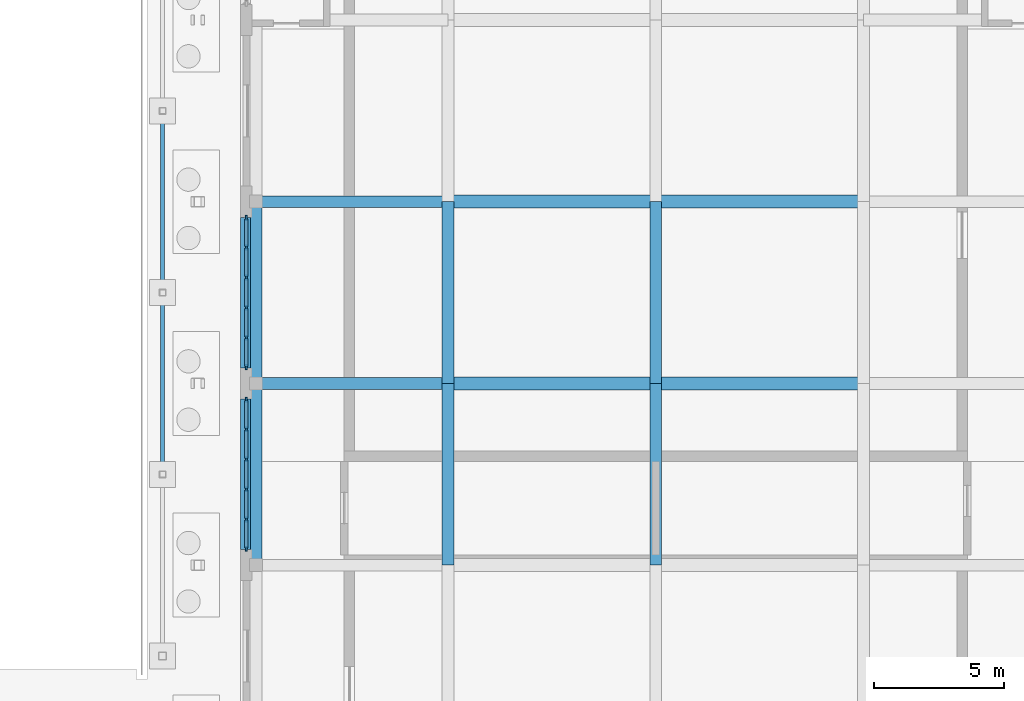
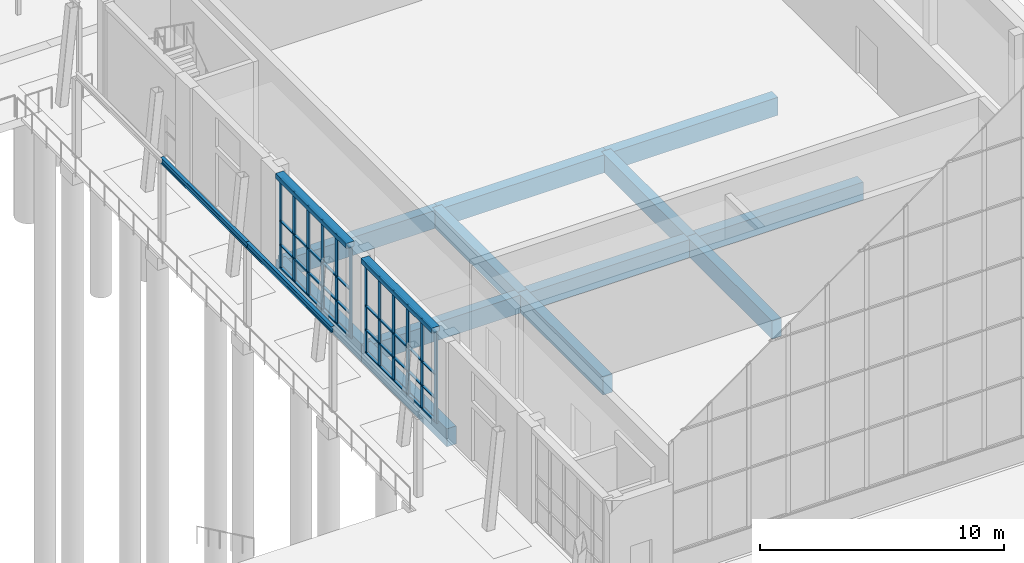
# One storey, part 37 of 144: 52 members, 16 beams, 2 elements without a shape of their own.
"""IFC4 building model written with IfcOpenShell, lengths in metres."""

from ifc_helpers import new_model, si_unit, direction, frame, origin, origin_2d, place, context, subcontext, project, spatial, rectangle, i_section, extrude, material, layer, layer_set, material_profile, profile_set, type_object, element, aggregate, save


model = new_model("IFC4")

# Units and contexts
model_context = context("Model", 3, precision=1e-05, world=origin(), true_north=direction((0.0, 1.0)))
body_context = subcontext(model_context, "Body", "Model", "MODEL_VIEW")
ifc_project = project(units=[si_unit("LENGTHUNIT", "METRE"), si_unit("AREAUNIT", "SQUARE_METRE"), si_unit("VOLUMEUNIT", "CUBIC_METRE"), si_unit("PLANEANGLEUNIT", "RADIAN"), si_unit("MASSUNIT", "GRAM", prefix="KILO")], contexts=[model_context])

# Site, building, storey
site_placement = place(None, origin())
site = spatial("IfcSite", under=ifc_project, at=site_placement, CompositionType="ELEMENT")
building_placement = place(site_placement, origin())
building = spatial("IfcBuilding", under=site, at=building_placement, Name="Lantern Court Media Centre", CompositionType="ELEMENT")
storey_placement = place(building_placement, origin())
storey = spatial("IfcBuildingStorey", under=building, at=storey_placement, Name="L00", CompositionType="ELEMENT", Elevation=0.0)

# Beams
ifc_material_1 = material(Name="Steel S355J2 (EN 10025-2)", Category="steel")
ifc_material_profile_1 = material_profile(ifc_material_1, i_section(OverallWidth=0.14990234375, OverallDepth=0.300048828125, WebThickness=0.007080078125, FlangeThickness=0.0107421875, FilletRadius=0.014892578125, at=origin_2d()), Name="IPE 300")
ifc_profile_set_1 = profile_set([ifc_material_profile_1], Name="Steel S355J2 (EN 10025-2)")
beam_type_1 = type_object("IfcBeamType", Name="Forecourt colonnade beam IPE 300", PredefinedType="BEAM", material=ifc_profile_set_1)
for number, where, z_axis, x_axis, name in (
    (1, (69.0, 15.5, 4.050048828125), (0.0, 1.0, 0.0), (-1.0, 0.0, 0.0), "Forecourt colonnade beam V2 2"),
    (2, (69.0, 22.5, 4.050048828125), (0.0, 1.0, 0.0), (-1.0, 0.0, 0.0), "Forecourt colonnade beam V2 3"),
):
    element("IfcBeam", number, at=place(storey_placement, frame(where, z_axis=z_axis, x_axis=x_axis)), inside=storey, type_object=beam_type_1, Name=name, PredefinedType="BEAM", context=body_context, shape_type="SweptSolid", body=[
        extrude(i_section(OverallWidth=0.14990234375, OverallDepth=0.300048828125, WebThickness=0.007080078125, FlangeThickness=0.0107421875, FilletRadius=0.014892578125, at=origin_2d()), origin(), (0.0, 0.0, 1.0), 7.0),
    ])

# Curtain wall, members
ifc_material_2 = material(Name="Aluminium and glass", Category="aluminium")
ifc_layer = layer(ifc_material_2, 0.14990234375)
ifc_layer_set = layer_set([ifc_layer], Name="Aluminium and glass")
curtain_wall_type = type_object("IfcCurtainWallType", Name="Hall lancet glazing", PredefinedType="NOTDEFINED", material=ifc_layer_set)
curtain_wall_1_placement = place(storey_placement, origin())
curtain_wall_1 = element("IfcCurtainWall", 3, at=curtain_wall_1_placement, inside=storey, type_object=curtain_wall_type, Name="Studio Hall foyer glazing 3", PredefinedType="NOTDEFINED")
ifc_material_3 = material(Name="Aluminium, anodised", Category="aluminium")
ifc_material_profile_2 = material_profile(ifc_material_3, rectangle(XDim=0.06005859375, YDim=0.199951171875, at=origin_2d()), Name="HM")
ifc_profile_set_2 = profile_set([ifc_material_profile_2], Name="Aluminium, anodised")
member_type_1 = type_object("IfcMemberType", Name="HM", PredefinedType="MULLION", material=ifc_profile_set_2)
member_1_placement = place(storey_placement, frame((72.22509765625, 12.6298828125, 0.0), z_axis=(0.0, 0.0, 1.0), x_axis=(-1.0, 0.0, 0.0)))
member_1 = element("IfcMember", 4, at=member_1_placement, type_object=member_type_1, Name="HCW-V23 mullion 1", PredefinedType="MULLION", context=body_context, shape_type="SweptSolid", body=[
    extrude(rectangle(XDim=0.06005859375, YDim=0.199951171875, at=origin_2d()), origin(), (0.0, 0.0, 1.0), 4.550048828125),
])
member_2_placement = place(storey_placement, frame((72.22509765625, 13.760009765625, 0.0), z_axis=(0.0, 0.0, 1.0), x_axis=(-1.0, 0.0, 0.0)))
member_2 = element("IfcMember", 5, at=member_2_placement, type_object=member_type_1, Name="HCW-V23 mullion 2", PredefinedType="MULLION", context=body_context, shape_type="SweptSolid", body=[
    extrude(rectangle(XDim=0.06005859375, YDim=0.199951171875, at=origin_2d()), origin(), (0.0, 0.0, 1.0), 4.550048828125),
])
member_3_placement = place(storey_placement, frame((72.22509765625, 14.919921875, 0.0), z_axis=(0.0, 0.0, 1.0), x_axis=(-1.0, 0.0, 0.0)))
member_3 = element("IfcMember", 6, at=member_3_placement, type_object=member_type_1, Name="HCW-V23 mullion 3", PredefinedType="MULLION", context=body_context, shape_type="SweptSolid", body=[
    extrude(rectangle(XDim=0.06005859375, YDim=0.199951171875, at=origin_2d()), origin(), (0.0, 0.0, 1.0), 4.550048828125),
])
member_4_placement = place(storey_placement, frame((72.22509765625, 16.080078125, 0.0), z_axis=(0.0, 0.0, 1.0), x_axis=(-1.0, 0.0, 0.0)))
member_4 = element("IfcMember", 7, at=member_4_placement, type_object=member_type_1, Name="HCW-V23 mullion 4", PredefinedType="MULLION", context=body_context, shape_type="SweptSolid", body=[
    extrude(rectangle(XDim=0.06005859375, YDim=0.199951171875, at=origin_2d()), origin(), (0.0, 0.0, 1.0), 4.550048828125),
])
member_5_placement = place(storey_placement, frame((72.22509765625, 17.239990234375, 0.0), z_axis=(0.0, 0.0, 1.0), x_axis=(-1.0, 0.0, 0.0)))
member_5 = element("IfcMember", 8, at=member_5_placement, type_object=member_type_1, Name="HCW-V23 mullion 5", PredefinedType="MULLION", context=body_context, shape_type="SweptSolid", body=[
    extrude(rectangle(XDim=0.06005859375, YDim=0.199951171875, at=origin_2d()), origin(), (0.0, 0.0, 1.0), 4.550048828125),
])
member_6_placement = place(storey_placement, frame((72.22509765625, 18.3701171875, 0.0), z_axis=(0.0, 0.0, 1.0), x_axis=(-1.0, 0.0, 0.0)))
member_6 = element("IfcMember", 9, at=member_6_placement, type_object=member_type_1, Name="HCW-V23 mullion 6", PredefinedType="MULLION", context=body_context, shape_type="SweptSolid", body=[
    extrude(rectangle(XDim=0.06005859375, YDim=0.199951171875, at=origin_2d()), origin(), (0.0, 0.0, 1.0), 4.550048828125),
])

curtain_wall_2_placement = place(storey_placement, origin())
curtain_wall_2 = element("IfcCurtainWall", 10, at=curtain_wall_2_placement, inside=storey, type_object=curtain_wall_type, Name="Studio Hall foyer glazing 4", PredefinedType="NOTDEFINED")
member_7_placement = place(storey_placement, frame((72.22509765625, 19.6298828125, 0.0), z_axis=(0.0, 0.0, 1.0), x_axis=(-1.0, 0.0, 0.0)))
member_7 = element("IfcMember", 11, at=member_7_placement, type_object=member_type_1, Name="HCW-V24 mullion 1", PredefinedType="MULLION", context=body_context, shape_type="SweptSolid", body=[
    extrude(rectangle(XDim=0.06005859375, YDim=0.199951171875, at=origin_2d()), origin(), (0.0, 0.0, 1.0), 4.550048828125),
])
member_8_placement = place(storey_placement, frame((72.22509765625, 20.760009765625, 0.0), z_axis=(0.0, 0.0, 1.0), x_axis=(-1.0, 0.0, 0.0)))
member_8 = element("IfcMember", 12, at=member_8_placement, type_object=member_type_1, Name="HCW-V24 mullion 2", PredefinedType="MULLION", context=body_context, shape_type="SweptSolid", body=[
    extrude(rectangle(XDim=0.06005859375, YDim=0.199951171875, at=origin_2d()), origin(), (0.0, 0.0, 1.0), 4.550048828125),
])
member_9_placement = place(storey_placement, frame((72.22509765625, 21.919921875, 0.0), z_axis=(0.0, 0.0, 1.0), x_axis=(-1.0, 0.0, 0.0)))
member_9 = element("IfcMember", 13, at=member_9_placement, type_object=member_type_1, Name="HCW-V24 mullion 3", PredefinedType="MULLION", context=body_context, shape_type="SweptSolid", body=[
    extrude(rectangle(XDim=0.06005859375, YDim=0.199951171875, at=origin_2d()), origin(), (0.0, 0.0, 1.0), 4.550048828125),
])
member_10_placement = place(storey_placement, frame((72.22509765625, 23.080078125, 0.0), z_axis=(0.0, 0.0, 1.0), x_axis=(-1.0, 0.0, 0.0)))
member_10 = element("IfcMember", 14, at=member_10_placement, type_object=member_type_1, Name="HCW-V24 mullion 4", PredefinedType="MULLION", context=body_context, shape_type="SweptSolid", body=[
    extrude(rectangle(XDim=0.06005859375, YDim=0.199951171875, at=origin_2d()), origin(), (0.0, 0.0, 1.0), 4.550048828125),
])
member_11_placement = place(storey_placement, frame((72.22509765625, 24.239990234375, 0.0), z_axis=(0.0, 0.0, 1.0), x_axis=(-1.0, 0.0, 0.0)))
member_11 = element("IfcMember", 15, at=member_11_placement, type_object=member_type_1, Name="HCW-V24 mullion 5", PredefinedType="MULLION", context=body_context, shape_type="SweptSolid", body=[
    extrude(rectangle(XDim=0.06005859375, YDim=0.199951171875, at=origin_2d()), origin(), (0.0, 0.0, 1.0), 4.550048828125),
])
member_12_placement = place(storey_placement, frame((72.22509765625, 25.3701171875, 0.0), z_axis=(0.0, 0.0, 1.0), x_axis=(-1.0, 0.0, 0.0)))
member_12 = element("IfcMember", 16, at=member_12_placement, type_object=member_type_1, Name="HCW-V24 mullion 6", PredefinedType="MULLION", context=body_context, shape_type="SweptSolid", body=[
    extrude(rectangle(XDim=0.06005859375, YDim=0.199951171875, at=origin_2d()), origin(), (0.0, 0.0, 1.0), 4.550048828125),
])

# Member
ifc_material_profile_3 = material_profile(ifc_material_3, rectangle(XDim=0.1201171875, YDim=0.06005859375, at=origin_2d()), Name="HT")
ifc_profile_set_3 = profile_set([ifc_material_profile_3], Name="Aluminium, anodised")
member_type_2 = type_object("IfcMemberType", Name="HT", PredefinedType="USERDEFINED", material=ifc_profile_set_3)
member_13_placement = place(storey_placement, frame((72.22509765625, 12.659912109375, 0.06005859375), z_axis=(0.0, 1.0, 0.0), x_axis=(-1.0, 0.0, 0.0)))
member_13 = element("IfcMember", 17, at=member_13_placement, type_object=member_type_2, Name="HCW-V23 transom 1.1", ObjectType="TRANSOM", PredefinedType="USERDEFINED", context=body_context, shape_type="SweptSolid", body=[
    extrude(rectangle(XDim=0.1201171875, YDim=0.06005859375, at=origin_2d()), origin(), (0.0, 0.0, 1.0), 1.070068359375),
])

member_14_placement = place(storey_placement, frame((72.22509765625, 12.659912109375, 1.199951171875), z_axis=(0.0, 1.0, 0.0), x_axis=(-1.0, 0.0, 0.0)))
member_14 = element("IfcMember", 18, at=member_14_placement, type_object=member_type_2, Name="HCW-V23 transom 1.2", ObjectType="TRANSOM", PredefinedType="USERDEFINED", context=body_context, shape_type="SweptSolid", body=[
    extrude(rectangle(XDim=0.1201171875, YDim=0.06005859375, at=origin_2d()), origin(), (0.0, 0.0, 1.0), 1.070068359375),
])

member_15_placement = place(storey_placement, frame((72.22509765625, 12.659912109375, 2.39990234375), z_axis=(0.0, 1.0, 0.0), x_axis=(-1.0, 0.0, 0.0)))
member_15 = element("IfcMember", 19, at=member_15_placement, type_object=member_type_2, Name="HCW-V23 transom 1.3", ObjectType="TRANSOM", PredefinedType="USERDEFINED", context=body_context, shape_type="SweptSolid", body=[
    extrude(rectangle(XDim=0.1201171875, YDim=0.06005859375, at=origin_2d()), origin(), (0.0, 0.0, 1.0), 1.070068359375),
])

member_16_placement = place(storey_placement, frame((72.22509765625, 12.659912109375, 4.489990234375), z_axis=(0.0, 1.0, 0.0), x_axis=(-1.0, 0.0, 0.0)))
member_16 = element("IfcMember", 20, at=member_16_placement, type_object=member_type_2, Name="HCW-V23 transom 1.4", ObjectType="TRANSOM", PredefinedType="USERDEFINED", context=body_context, shape_type="SweptSolid", body=[
    extrude(rectangle(XDim=0.1201171875, YDim=0.06005859375, at=origin_2d()), origin(), (0.0, 0.0, 1.0), 1.070068359375),
])

member_17_placement = place(storey_placement, frame((72.22509765625, 13.7900390625, 0.06005859375), z_axis=(0.0, 1.0, 0.0), x_axis=(-1.0, 0.0, 0.0)))
member_17 = element("IfcMember", 21, at=member_17_placement, type_object=member_type_2, Name="HCW-V23 transom 2.1", ObjectType="TRANSOM", PredefinedType="USERDEFINED", context=body_context, shape_type="SweptSolid", body=[
    extrude(rectangle(XDim=0.1201171875, YDim=0.06005859375, at=origin_2d()), origin(), (0.0, 0.0, 1.0), 1.099853515625),
])

member_18_placement = place(storey_placement, frame((72.22509765625, 13.7900390625, 1.199951171875), z_axis=(0.0, 1.0, 0.0), x_axis=(-1.0, 0.0, 0.0)))
member_18 = element("IfcMember", 22, at=member_18_placement, type_object=member_type_2, Name="HCW-V23 transom 2.2", ObjectType="TRANSOM", PredefinedType="USERDEFINED", context=body_context, shape_type="SweptSolid", body=[
    extrude(rectangle(XDim=0.1201171875, YDim=0.06005859375, at=origin_2d()), origin(), (0.0, 0.0, 1.0), 1.099853515625),
])

member_19_placement = place(storey_placement, frame((72.22509765625, 13.7900390625, 2.39990234375), z_axis=(0.0, 1.0, 0.0), x_axis=(-1.0, 0.0, 0.0)))
member_19 = element("IfcMember", 23, at=member_19_placement, type_object=member_type_2, Name="HCW-V23 transom 2.3", ObjectType="TRANSOM", PredefinedType="USERDEFINED", context=body_context, shape_type="SweptSolid", body=[
    extrude(rectangle(XDim=0.1201171875, YDim=0.06005859375, at=origin_2d()), origin(), (0.0, 0.0, 1.0), 1.099853515625),
])

member_20_placement = place(storey_placement, frame((72.22509765625, 13.7900390625, 4.489990234375), z_axis=(0.0, 1.0, 0.0), x_axis=(-1.0, 0.0, 0.0)))
member_20 = element("IfcMember", 24, at=member_20_placement, type_object=member_type_2, Name="HCW-V23 transom 2.4", ObjectType="TRANSOM", PredefinedType="USERDEFINED", context=body_context, shape_type="SweptSolid", body=[
    extrude(rectangle(XDim=0.1201171875, YDim=0.06005859375, at=origin_2d()), origin(), (0.0, 0.0, 1.0), 1.099853515625),
])

member_21_placement = place(storey_placement, frame((72.22509765625, 14.949951171875, 0.06005859375), z_axis=(0.0, 1.0, 0.0), x_axis=(-1.0, 0.0, 0.0)))
member_21 = element("IfcMember", 25, at=member_21_placement, type_object=member_type_2, Name="HCW-V23 transom 3.1", ObjectType="TRANSOM", PredefinedType="USERDEFINED", context=body_context, shape_type="SweptSolid", body=[
    extrude(rectangle(XDim=0.1201171875, YDim=0.06005859375, at=origin_2d()), origin(), (0.0, 0.0, 1.0), 1.10009765625),
])

member_22_placement = place(storey_placement, frame((72.22509765625, 14.949951171875, 1.199951171875), z_axis=(0.0, 1.0, 0.0), x_axis=(-1.0, 0.0, 0.0)))
member_22 = element("IfcMember", 26, at=member_22_placement, type_object=member_type_2, Name="HCW-V23 transom 3.2", ObjectType="TRANSOM", PredefinedType="USERDEFINED", context=body_context, shape_type="SweptSolid", body=[
    extrude(rectangle(XDim=0.1201171875, YDim=0.06005859375, at=origin_2d()), origin(), (0.0, 0.0, 1.0), 1.10009765625),
])

member_23_placement = place(storey_placement, frame((72.22509765625, 14.949951171875, 2.39990234375), z_axis=(0.0, 1.0, 0.0), x_axis=(-1.0, 0.0, 0.0)))
member_23 = element("IfcMember", 27, at=member_23_placement, type_object=member_type_2, Name="HCW-V23 transom 3.3", ObjectType="TRANSOM", PredefinedType="USERDEFINED", context=body_context, shape_type="SweptSolid", body=[
    extrude(rectangle(XDim=0.1201171875, YDim=0.06005859375, at=origin_2d()), origin(), (0.0, 0.0, 1.0), 1.10009765625),
])

member_24_placement = place(storey_placement, frame((72.22509765625, 14.949951171875, 4.489990234375), z_axis=(0.0, 1.0, 0.0), x_axis=(-1.0, 0.0, 0.0)))
member_24 = element("IfcMember", 28, at=member_24_placement, type_object=member_type_2, Name="HCW-V23 transom 3.4", ObjectType="TRANSOM", PredefinedType="USERDEFINED", context=body_context, shape_type="SweptSolid", body=[
    extrude(rectangle(XDim=0.1201171875, YDim=0.06005859375, at=origin_2d()), origin(), (0.0, 0.0, 1.0), 1.10009765625),
])

member_25_placement = place(storey_placement, frame((72.22509765625, 16.110107421875, 0.06005859375), z_axis=(0.0, 1.0, 0.0), x_axis=(-1.0, 0.0, 0.0)))
member_25 = element("IfcMember", 29, at=member_25_placement, type_object=member_type_2, Name="HCW-V23 transom 4.1", ObjectType="TRANSOM", PredefinedType="USERDEFINED", context=body_context, shape_type="SweptSolid", body=[
    extrude(rectangle(XDim=0.1201171875, YDim=0.06005859375, at=origin_2d()), origin(), (0.0, 0.0, 1.0), 1.099853515625),
])

member_26_placement = place(storey_placement, frame((72.22509765625, 16.110107421875, 1.199951171875), z_axis=(0.0, 1.0, 0.0), x_axis=(-1.0, 0.0, 0.0)))
member_26 = element("IfcMember", 30, at=member_26_placement, type_object=member_type_2, Name="HCW-V23 transom 4.2", ObjectType="TRANSOM", PredefinedType="USERDEFINED", context=body_context, shape_type="SweptSolid", body=[
    extrude(rectangle(XDim=0.1201171875, YDim=0.06005859375, at=origin_2d()), origin(), (0.0, 0.0, 1.0), 1.099853515625),
])

member_27_placement = place(storey_placement, frame((72.22509765625, 16.110107421875, 2.39990234375), z_axis=(0.0, 1.0, 0.0), x_axis=(-1.0, 0.0, 0.0)))
member_27 = element("IfcMember", 31, at=member_27_placement, type_object=member_type_2, Name="HCW-V23 transom 4.3", ObjectType="TRANSOM", PredefinedType="USERDEFINED", context=body_context, shape_type="SweptSolid", body=[
    extrude(rectangle(XDim=0.1201171875, YDim=0.06005859375, at=origin_2d()), origin(), (0.0, 0.0, 1.0), 1.099853515625),
])

member_28_placement = place(storey_placement, frame((72.22509765625, 16.110107421875, 4.489990234375), z_axis=(0.0, 1.0, 0.0), x_axis=(-1.0, 0.0, 0.0)))
member_28 = element("IfcMember", 32, at=member_28_placement, type_object=member_type_2, Name="HCW-V23 transom 4.4", ObjectType="TRANSOM", PredefinedType="USERDEFINED", context=body_context, shape_type="SweptSolid", body=[
    extrude(rectangle(XDim=0.1201171875, YDim=0.06005859375, at=origin_2d()), origin(), (0.0, 0.0, 1.0), 1.099853515625),
])

member_29_placement = place(storey_placement, frame((72.22509765625, 17.27001953125, 0.06005859375), z_axis=(0.0, 1.0, 0.0), x_axis=(-1.0, 0.0, 0.0)))
member_29 = element("IfcMember", 33, at=member_29_placement, type_object=member_type_2, Name="HCW-V23 transom 5.1", ObjectType="TRANSOM", PredefinedType="USERDEFINED", context=body_context, shape_type="SweptSolid", body=[
    extrude(rectangle(XDim=0.1201171875, YDim=0.06005859375, at=origin_2d()), origin(), (0.0, 0.0, 1.0), 1.070068359375),
])

member_30_placement = place(storey_placement, frame((72.22509765625, 17.27001953125, 1.199951171875), z_axis=(0.0, 1.0, 0.0), x_axis=(-1.0, 0.0, 0.0)))
member_30 = element("IfcMember", 34, at=member_30_placement, type_object=member_type_2, Name="HCW-V23 transom 5.2", ObjectType="TRANSOM", PredefinedType="USERDEFINED", context=body_context, shape_type="SweptSolid", body=[
    extrude(rectangle(XDim=0.1201171875, YDim=0.06005859375, at=origin_2d()), origin(), (0.0, 0.0, 1.0), 1.070068359375),
])

member_31_placement = place(storey_placement, frame((72.22509765625, 17.27001953125, 2.39990234375), z_axis=(0.0, 1.0, 0.0), x_axis=(-1.0, 0.0, 0.0)))
member_31 = element("IfcMember", 35, at=member_31_placement, type_object=member_type_2, Name="HCW-V23 transom 5.3", ObjectType="TRANSOM", PredefinedType="USERDEFINED", context=body_context, shape_type="SweptSolid", body=[
    extrude(rectangle(XDim=0.1201171875, YDim=0.06005859375, at=origin_2d()), origin(), (0.0, 0.0, 1.0), 1.070068359375),
])

member_32_placement = place(storey_placement, frame((72.22509765625, 17.27001953125, 4.489990234375), z_axis=(0.0, 1.0, 0.0), x_axis=(-1.0, 0.0, 0.0)))
member_32 = element("IfcMember", 36, at=member_32_placement, type_object=member_type_2, Name="HCW-V23 transom 5.4", ObjectType="TRANSOM", PredefinedType="USERDEFINED", context=body_context, shape_type="SweptSolid", body=[
    extrude(rectangle(XDim=0.1201171875, YDim=0.06005859375, at=origin_2d()), origin(), (0.0, 0.0, 1.0), 1.070068359375),
])

aggregate(curtain_wall_1, [member_1, member_2, member_3, member_4, member_5, member_6, member_13, member_14, member_15, member_16, member_17, member_18, member_19, member_20, member_21, member_22, member_23, member_24, member_25, member_26, member_27, member_28, member_29, member_30, member_31, member_32])

member_33_placement = place(storey_placement, frame((72.22509765625, 19.659912109375, 0.06005859375), z_axis=(0.0, 1.0, 0.0), x_axis=(-1.0, 0.0, 0.0)))
member_33 = element("IfcMember", 37, at=member_33_placement, type_object=member_type_2, Name="HCW-V24 transom 1.1", ObjectType="TRANSOM", PredefinedType="USERDEFINED", context=body_context, shape_type="SweptSolid", body=[
    extrude(rectangle(XDim=0.1201171875, YDim=0.06005859375, at=origin_2d()), origin(), (0.0, 0.0, 1.0), 1.070068359375),
])

member_34_placement = place(storey_placement, frame((72.22509765625, 19.659912109375, 1.199951171875), z_axis=(0.0, 1.0, 0.0), x_axis=(-1.0, 0.0, 0.0)))
member_34 = element("IfcMember", 38, at=member_34_placement, type_object=member_type_2, Name="HCW-V24 transom 1.2", ObjectType="TRANSOM", PredefinedType="USERDEFINED", context=body_context, shape_type="SweptSolid", body=[
    extrude(rectangle(XDim=0.1201171875, YDim=0.06005859375, at=origin_2d()), origin(), (0.0, 0.0, 1.0), 1.070068359375),
])

member_35_placement = place(storey_placement, frame((72.22509765625, 19.659912109375, 2.39990234375), z_axis=(0.0, 1.0, 0.0), x_axis=(-1.0, 0.0, 0.0)))
member_35 = element("IfcMember", 39, at=member_35_placement, type_object=member_type_2, Name="HCW-V24 transom 1.3", ObjectType="TRANSOM", PredefinedType="USERDEFINED", context=body_context, shape_type="SweptSolid", body=[
    extrude(rectangle(XDim=0.1201171875, YDim=0.06005859375, at=origin_2d()), origin(), (0.0, 0.0, 1.0), 1.070068359375),
])

member_36_placement = place(storey_placement, frame((72.22509765625, 19.659912109375, 4.489990234375), z_axis=(0.0, 1.0, 0.0), x_axis=(-1.0, 0.0, 0.0)))
member_36 = element("IfcMember", 40, at=member_36_placement, type_object=member_type_2, Name="HCW-V24 transom 1.4", ObjectType="TRANSOM", PredefinedType="USERDEFINED", context=body_context, shape_type="SweptSolid", body=[
    extrude(rectangle(XDim=0.1201171875, YDim=0.06005859375, at=origin_2d()), origin(), (0.0, 0.0, 1.0), 1.070068359375),
])

member_37_placement = place(storey_placement, frame((72.22509765625, 20.7900390625, 0.06005859375), z_axis=(0.0, 1.0, 0.0), x_axis=(-1.0, 0.0, 0.0)))
member_37 = element("IfcMember", 41, at=member_37_placement, type_object=member_type_2, Name="HCW-V24 transom 2.1", ObjectType="TRANSOM", PredefinedType="USERDEFINED", context=body_context, shape_type="SweptSolid", body=[
    extrude(rectangle(XDim=0.1201171875, YDim=0.06005859375, at=origin_2d()), origin(), (0.0, 0.0, 1.0), 1.099853515625),
])

member_38_placement = place(storey_placement, frame((72.22509765625, 20.7900390625, 1.199951171875), z_axis=(0.0, 1.0, 0.0), x_axis=(-1.0, 0.0, 0.0)))
member_38 = element("IfcMember", 42, at=member_38_placement, type_object=member_type_2, Name="HCW-V24 transom 2.2", ObjectType="TRANSOM", PredefinedType="USERDEFINED", context=body_context, shape_type="SweptSolid", body=[
    extrude(rectangle(XDim=0.1201171875, YDim=0.06005859375, at=origin_2d()), origin(), (0.0, 0.0, 1.0), 1.099853515625),
])

member_39_placement = place(storey_placement, frame((72.22509765625, 20.7900390625, 2.39990234375), z_axis=(0.0, 1.0, 0.0), x_axis=(-1.0, 0.0, 0.0)))
member_39 = element("IfcMember", 43, at=member_39_placement, type_object=member_type_2, Name="HCW-V24 transom 2.3", ObjectType="TRANSOM", PredefinedType="USERDEFINED", context=body_context, shape_type="SweptSolid", body=[
    extrude(rectangle(XDim=0.1201171875, YDim=0.06005859375, at=origin_2d()), origin(), (0.0, 0.0, 1.0), 1.099853515625),
])

member_40_placement = place(storey_placement, frame((72.22509765625, 20.7900390625, 4.489990234375), z_axis=(0.0, 1.0, 0.0), x_axis=(-1.0, 0.0, 0.0)))
member_40 = element("IfcMember", 44, at=member_40_placement, type_object=member_type_2, Name="HCW-V24 transom 2.4", ObjectType="TRANSOM", PredefinedType="USERDEFINED", context=body_context, shape_type="SweptSolid", body=[
    extrude(rectangle(XDim=0.1201171875, YDim=0.06005859375, at=origin_2d()), origin(), (0.0, 0.0, 1.0), 1.099853515625),
])

member_41_placement = place(storey_placement, frame((72.22509765625, 21.949951171875, 0.06005859375), z_axis=(0.0, 1.0, 0.0), x_axis=(-1.0, 0.0, 0.0)))
member_41 = element("IfcMember", 45, at=member_41_placement, type_object=member_type_2, Name="HCW-V24 transom 3.1", ObjectType="TRANSOM", PredefinedType="USERDEFINED", context=body_context, shape_type="SweptSolid", body=[
    extrude(rectangle(XDim=0.1201171875, YDim=0.06005859375, at=origin_2d()), origin(), (0.0, 0.0, 1.0), 1.10009765625),
])

member_42_placement = place(storey_placement, frame((72.22509765625, 21.949951171875, 1.199951171875), z_axis=(0.0, 1.0, 0.0), x_axis=(-1.0, 0.0, 0.0)))
member_42 = element("IfcMember", 46, at=member_42_placement, type_object=member_type_2, Name="HCW-V24 transom 3.2", ObjectType="TRANSOM", PredefinedType="USERDEFINED", context=body_context, shape_type="SweptSolid", body=[
    extrude(rectangle(XDim=0.1201171875, YDim=0.06005859375, at=origin_2d()), origin(), (0.0, 0.0, 1.0), 1.10009765625),
])

member_43_placement = place(storey_placement, frame((72.22509765625, 21.949951171875, 2.39990234375), z_axis=(0.0, 1.0, 0.0), x_axis=(-1.0, 0.0, 0.0)))
member_43 = element("IfcMember", 47, at=member_43_placement, type_object=member_type_2, Name="HCW-V24 transom 3.3", ObjectType="TRANSOM", PredefinedType="USERDEFINED", context=body_context, shape_type="SweptSolid", body=[
    extrude(rectangle(XDim=0.1201171875, YDim=0.06005859375, at=origin_2d()), origin(), (0.0, 0.0, 1.0), 1.10009765625),
])

member_44_placement = place(storey_placement, frame((72.22509765625, 21.949951171875, 4.489990234375), z_axis=(0.0, 1.0, 0.0), x_axis=(-1.0, 0.0, 0.0)))
member_44 = element("IfcMember", 48, at=member_44_placement, type_object=member_type_2, Name="HCW-V24 transom 3.4", ObjectType="TRANSOM", PredefinedType="USERDEFINED", context=body_context, shape_type="SweptSolid", body=[
    extrude(rectangle(XDim=0.1201171875, YDim=0.06005859375, at=origin_2d()), origin(), (0.0, 0.0, 1.0), 1.10009765625),
])

member_45_placement = place(storey_placement, frame((72.22509765625, 23.110107421875, 0.06005859375), z_axis=(0.0, 1.0, 0.0), x_axis=(-1.0, 0.0, 0.0)))
member_45 = element("IfcMember", 49, at=member_45_placement, type_object=member_type_2, Name="HCW-V24 transom 4.1", ObjectType="TRANSOM", PredefinedType="USERDEFINED", context=body_context, shape_type="SweptSolid", body=[
    extrude(rectangle(XDim=0.1201171875, YDim=0.06005859375, at=origin_2d()), origin(), (0.0, 0.0, 1.0), 1.099853515625),
])

member_46_placement = place(storey_placement, frame((72.22509765625, 23.110107421875, 1.199951171875), z_axis=(0.0, 1.0, 0.0), x_axis=(-1.0, 0.0, 0.0)))
member_46 = element("IfcMember", 50, at=member_46_placement, type_object=member_type_2, Name="HCW-V24 transom 4.2", ObjectType="TRANSOM", PredefinedType="USERDEFINED", context=body_context, shape_type="SweptSolid", body=[
    extrude(rectangle(XDim=0.1201171875, YDim=0.06005859375, at=origin_2d()), origin(), (0.0, 0.0, 1.0), 1.099853515625),
])

member_47_placement = place(storey_placement, frame((72.22509765625, 23.110107421875, 2.39990234375), z_axis=(0.0, 1.0, 0.0), x_axis=(-1.0, 0.0, 0.0)))
member_47 = element("IfcMember", 51, at=member_47_placement, type_object=member_type_2, Name="HCW-V24 transom 4.3", ObjectType="TRANSOM", PredefinedType="USERDEFINED", context=body_context, shape_type="SweptSolid", body=[
    extrude(rectangle(XDim=0.1201171875, YDim=0.06005859375, at=origin_2d()), origin(), (0.0, 0.0, 1.0), 1.099853515625),
])

member_48_placement = place(storey_placement, frame((72.22509765625, 23.110107421875, 4.489990234375), z_axis=(0.0, 1.0, 0.0), x_axis=(-1.0, 0.0, 0.0)))
member_48 = element("IfcMember", 52, at=member_48_placement, type_object=member_type_2, Name="HCW-V24 transom 4.4", ObjectType="TRANSOM", PredefinedType="USERDEFINED", context=body_context, shape_type="SweptSolid", body=[
    extrude(rectangle(XDim=0.1201171875, YDim=0.06005859375, at=origin_2d()), origin(), (0.0, 0.0, 1.0), 1.099853515625),
])

member_49_placement = place(storey_placement, frame((72.22509765625, 24.27001953125, 0.06005859375), z_axis=(0.0, 1.0, 0.0), x_axis=(-1.0, 0.0, 0.0)))
member_49 = element("IfcMember", 53, at=member_49_placement, type_object=member_type_2, Name="HCW-V24 transom 5.1", ObjectType="TRANSOM", PredefinedType="USERDEFINED", context=body_context, shape_type="SweptSolid", body=[
    extrude(rectangle(XDim=0.1201171875, YDim=0.06005859375, at=origin_2d()), origin(), (0.0, 0.0, 1.0), 1.070068359375),
])

member_50_placement = place(storey_placement, frame((72.22509765625, 24.27001953125, 1.199951171875), z_axis=(0.0, 1.0, 0.0), x_axis=(-1.0, 0.0, 0.0)))
member_50 = element("IfcMember", 54, at=member_50_placement, type_object=member_type_2, Name="HCW-V24 transom 5.2", ObjectType="TRANSOM", PredefinedType="USERDEFINED", context=body_context, shape_type="SweptSolid", body=[
    extrude(rectangle(XDim=0.1201171875, YDim=0.06005859375, at=origin_2d()), origin(), (0.0, 0.0, 1.0), 1.070068359375),
])

member_51_placement = place(storey_placement, frame((72.22509765625, 24.27001953125, 2.39990234375), z_axis=(0.0, 1.0, 0.0), x_axis=(-1.0, 0.0, 0.0)))
member_51 = element("IfcMember", 55, at=member_51_placement, type_object=member_type_2, Name="HCW-V24 transom 5.3", ObjectType="TRANSOM", PredefinedType="USERDEFINED", context=body_context, shape_type="SweptSolid", body=[
    extrude(rectangle(XDim=0.1201171875, YDim=0.06005859375, at=origin_2d()), origin(), (0.0, 0.0, 1.0), 1.070068359375),
])

member_52_placement = place(storey_placement, frame((72.22509765625, 24.27001953125, 4.489990234375), z_axis=(0.0, 1.0, 0.0), x_axis=(-1.0, 0.0, 0.0)))
member_52 = element("IfcMember", 56, at=member_52_placement, type_object=member_type_2, Name="HCW-V24 transom 5.4", ObjectType="TRANSOM", PredefinedType="USERDEFINED", context=body_context, shape_type="SweptSolid", body=[
    extrude(rectangle(XDim=0.1201171875, YDim=0.06005859375, at=origin_2d()), origin(), (0.0, 0.0, 1.0), 1.070068359375),
])

aggregate(curtain_wall_2, [member_7, member_8, member_9, member_10, member_11, member_12, member_33, member_34, member_35, member_36, member_37, member_38, member_39, member_40, member_41, member_42, member_43, member_44, member_45, member_46, member_47, member_48, member_49, member_50, member_51, member_52])

# Beams
ifc_material_4 = material(Name="Concrete C35", Category="concrete")
ifc_material_profile_4 = material_profile(ifc_material_4, rectangle(XDim=0.3798828125, YDim=0.25, at=origin_2d()), Name="RC 380x250")
ifc_profile_set_4 = profile_set([ifc_material_profile_4], Name="Concrete C35")
beam_type_2 = type_object("IfcBeamType", Name="RC BEAM 380x250", PredefinedType="BEAM", material=ifc_profile_set_4)
for number, where, z_axis, x_axis, name in (
    (57, (72.18994140625, 12.60009765625, 4.675048828125), (0.0, 1.0, 0.0), (-1.0, 0.0, 0.0), "HB-V2-L00-FH2"),
    (58, (72.18994140625, 19.60009765625, 4.675048828125), (0.0, 1.0, 0.0), (-1.0, 0.0, 0.0), "HB-V2-L00-FH3"),
):
    element("IfcBeam", number, at=place(storey_placement, frame(where, z_axis=z_axis, x_axis=x_axis)), inside=storey, type_object=beam_type_2, Name=name, PredefinedType="BEAM", context=body_context, shape_type="SweptSolid", body=[
        extrude(rectangle(XDim=0.3798828125, YDim=0.25, at=origin_2d()), origin(), (0.0, 0.0, 1.0), 5.7998046875),
    ])
ifc_material_profile_5 = material_profile(ifc_material_4, rectangle(XDim=0.449951171875, YDim=0.89990234375, at=origin_2d()), Name="RC 450x900")
ifc_profile_set_5 = profile_set([ifc_material_profile_5], Name="Concrete C35")
beam_type_3 = type_object("IfcBeamType", Name="RC BEAM 450x900", PredefinedType="BEAM", material=ifc_profile_set_5)
for number, where, z_axis, x_axis, name in (
    (59, (72.60009765625, 19.0, -0.449951171875), (1.0, 0.0, 0.0), (0.0, 1.0, 0.0), "HB-V2-L00-PX3-0"),
    (60, (72.60009765625, 26.0, -0.449951171875), (1.0, 0.0, 0.0), (0.0, 1.0, 0.0), "HB-V2-L00-PX4-0"),
):
    element("IfcBeam", number, at=place(storey_placement, frame(where, z_axis=z_axis, x_axis=x_axis)), inside=storey, type_object=beam_type_3, Name=name, PredefinedType="BEAM", context=body_context, shape_type="SweptSolid", body=[
        extrude(rectangle(XDim=0.449951171875, YDim=0.89990234375, at=origin_2d()), origin(), (0.0, 0.0, 1.0), 7.39990234375),
    ])
for number, where, z_axis, x_axis, name in (
    (61, (72.60009765625, 12.0, -0.449951171875), (0.0, 1.0, 0.0), (-1.0, 0.0, 0.0), "HB-V2-L00-PY0-2"),
    (62, (72.60009765625, 19.0, -0.449951171875), (0.0, 1.0, 0.0), (-1.0, 0.0, 0.0), "HB-V2-L00-PY0-3"),
    (63, (80.0, 12.0, -0.449951171875), (0.0, 1.0, 0.0), (-1.0, 0.0, 0.0), "HB-V2-L00-PY1-2"),
    (64, (80.0, 19.0, -0.449951171875), (0.0, 1.0, 0.0), (-1.0, 0.0, 0.0), "HB-V2-L00-PY1-3"),
    (65, (88.0, 12.0, -0.449951171875), (0.0, 1.0, 0.0), (-1.0, 0.0, 0.0), "HB-V2-L00-PY2-2"),
    (66, (88.0, 19.0, -0.449951171875), (0.0, 1.0, 0.0), (-1.0, 0.0, 0.0), "HB-V2-L00-PY2-3"),
):
    element("IfcBeam", number, at=place(storey_placement, frame(where, z_axis=z_axis, x_axis=x_axis)), inside=storey, type_object=beam_type_3, Name=name, PredefinedType="BEAM", context=body_context, shape_type="SweptSolid", body=[
        extrude(rectangle(XDim=0.449951171875, YDim=0.89990234375, at=origin_2d()), origin(), (0.0, 0.0, 1.0), 7.0),
    ])
ifc_material_profile_6 = material_profile(ifc_material_4, rectangle(XDim=0.5, YDim=0.89990234375, at=origin_2d()), Name="RC 500x900")
ifc_profile_set_6 = profile_set([ifc_material_profile_6], Name="Concrete C35")
beam_type_4 = type_object("IfcBeamType", Name="RC BEAM 500x900", PredefinedType="BEAM", material=ifc_profile_set_6)
for number, where, z_axis, x_axis, name in (
    (67, (80.0, 19.0, -0.449951171875), (1.0, 0.0, 0.0), (0.0, 1.0, 0.0), "HB-V2-L00-PX3-1"),
    (68, (88.0, 19.0, -0.449951171875), (1.0, 0.0, 0.0), (0.0, 1.0, 0.0), "HB-V2-L00-PX3-2"),
    (69, (80.0, 26.0, -0.449951171875), (1.0, 0.0, 0.0), (0.0, 1.0, 0.0), "HB-V2-L00-PX4-1"),
    (70, (88.0, 26.0, -0.449951171875), (1.0, 0.0, 0.0), (0.0, 1.0, 0.0), "HB-V2-L00-PX4-2"),
):
    element("IfcBeam", number, at=place(storey_placement, frame(where, z_axis=z_axis, x_axis=x_axis)), inside=storey, type_object=beam_type_4, Name=name, PredefinedType="BEAM", context=body_context, shape_type="SweptSolid", body=[
        extrude(rectangle(XDim=0.5, YDim=0.89990234375, at=origin_2d()), origin(), (0.0, 0.0, 1.0), 8.0),
    ])

save(model, "model.ifc")
